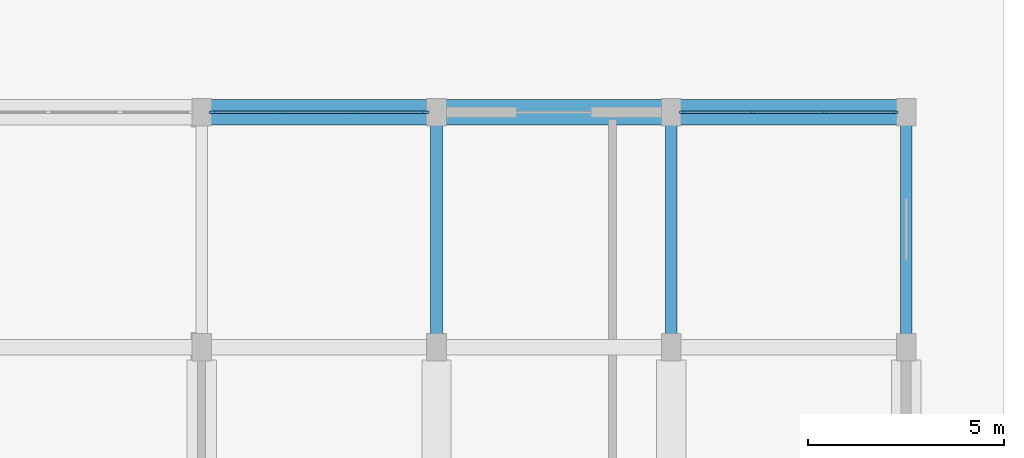
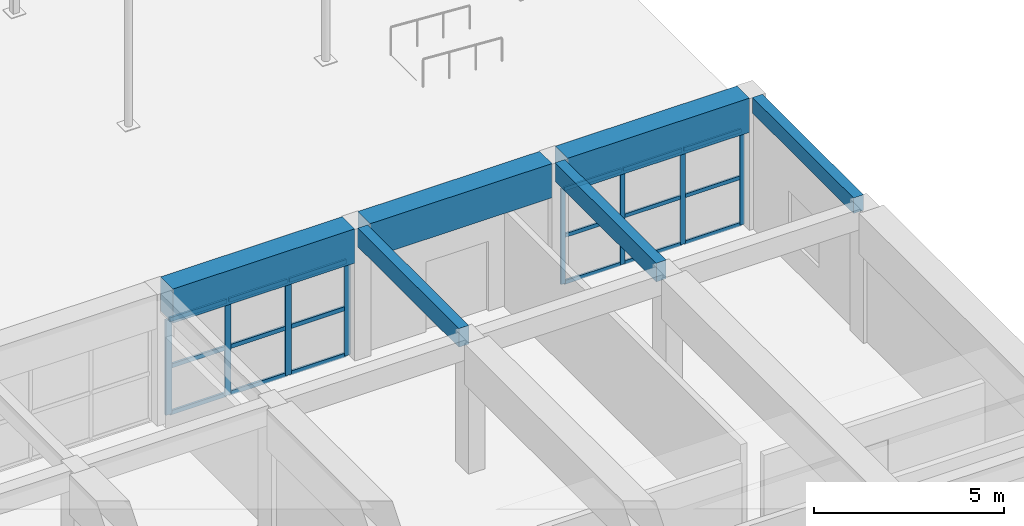
# One storey, part 35 of 76: 26 members, 6 beams, 2 elements without a shape of their own.
"""IFC4 building model written with IfcOpenShell, lengths in metres."""

import ifcopenshell
import ifcopenshell.guid

model = None  # the IFC model being written
_history = None  # IfcOwnerHistory: only IFC2X3 demands one
_inside = {}  # id of a spatial element -> (the spatial element, [elements in it])
_under = {}  # id of a project, library or spatial element -> (it, [spatial elements below it])
_declared = {}  # id of a project -> (the project, [libraries it declares])
_typed = {}  # id of a type object -> (the type object, [elements of that type])
_made_of = {}  # id of a material, layer set ... -> (it, [elements and type objects made of it])


def new_model(schema):
    """Start an empty IFC model of exactly this schema.

    Asked for "IFC4X3", IfcOpenShell would pick the latest addendum, in which some entities
    have other attributes; the version numbers below select the first issue.
    IFC2X3 requires an IfcOwnerHistory on every rooted entity: one is made here for all.
    """
    global model, _history
    if schema == "IFC4X3":
        model = ifcopenshell.file(schema_version=(4, 3, 0, 0))
    else:
        model = ifcopenshell.file(schema=schema)
    _inside.clear()
    _under.clear()
    _declared.clear()
    _typed.clear()
    _made_of.clear()
    _history = None
    if model.schema == "IFC2X3":
        org = make("IfcOrganization", Name="unknown")
        user = make(
            "IfcPersonAndOrganization",
            ThePerson=make("IfcPerson", FamilyName="unknown"),
            TheOrganization=org,
        )
        app = make(
            "IfcApplication",
            ApplicationDeveloper=org,
            Version="unknown",
            ApplicationFullName="unknown",
            ApplicationIdentifier="unknown",
        )
        _history = make(
            "IfcOwnerHistory",
            OwningUser=user,
            OwningApplication=app,
            ChangeAction="ADDED",
            CreationDate=0,
        )
    return model


def make(cls, **values):
    """One entity of the class cls with the attributes given. An attribute that is None is left unset."""
    return model.create_entity(
        cls, **{name: value for name, value in values.items() if value is not None}
    )


def rooted(cls, **values):
    """An entity with a GlobalId (a new one), such as an element, a storey or a relation."""
    return make(cls, GlobalId=ifcopenshell.guid.new(), OwnerHistory=_history, **values)


def si_unit(unit_type, name, prefix=None):
    """IfcSIUnit, for example si_unit("LENGTHUNIT", "METRE", prefix="MILLI")."""
    return make("IfcSIUnit", UnitType=unit_type, Prefix=prefix, Name=name)


def assignment(units):
    """IfcUnitAssignment: the units of a project."""
    return None if units is None else make("IfcUnitAssignment", Units=units)


def point(xyz):
    """IfcCartesianPoint."""
    return None if xyz is None else make("IfcCartesianPoint", Coordinates=xyz)


def direction(xyz):
    """IfcDirection."""
    return None if xyz is None else make("IfcDirection", DirectionRatios=xyz)


def frame(location, z_axis=None, x_axis=None):
    """IfcAxis2Placement3D, a coordinate frame: its origin and axes. An axis left out is left unset."""
    return make(
        "IfcAxis2Placement3D",
        Location=point(location),
        Axis=direction(z_axis),
        RefDirection=direction(x_axis),
    )


def frame_2d(location, x_axis=None):
    """IfcAxis2Placement2D, a coordinate frame in the plane: its origin and x axis."""
    return make(
        "IfcAxis2Placement2D", Location=point(location), RefDirection=direction(x_axis)
    )


def origin():
    """The frame at (0, 0, 0) with its axes left unset."""
    return frame((0.0, 0.0, 0.0))


def origin_2d():
    """The frame at (0, 0) in the plane with its x axis left unset."""
    return frame_2d((0.0, 0.0))


def place(relative_to, where):
    """IfcLocalPlacement: puts the frame where relative to a parent placement (None: the world)."""
    return make(
        "IfcLocalPlacement", PlacementRelTo=relative_to, RelativePlacement=where
    )


def context(
    kind, dimensions, precision=None, world=None, true_north=None, identifier=None
):
    """IfcGeometricRepresentationContext, for example the 3D "Model" context."""
    return make(
        "IfcGeometricRepresentationContext",
        ContextIdentifier=identifier,
        ContextType=kind,
        CoordinateSpaceDimension=dimensions,
        Precision=precision,
        WorldCoordinateSystem=world,
        TrueNorth=true_north,
    )


def subcontext(parent, identifier, kind, view, scale=None):
    """IfcGeometricRepresentationSubContext, for example "Body" below "Model"."""
    return make(
        "IfcGeometricRepresentationSubContext",
        ContextIdentifier=identifier,
        ContextType=kind,
        ParentContext=parent,
        TargetScale=scale,
        TargetView=view,
    )


def project(units=None, contexts=None):
    """IfcProject with its units and contexts."""
    return rooted(
        "IfcProject",
        Name="project",
        RepresentationContexts=contexts,
        UnitsInContext=assignment(units),
    )


def spatial(cls, under=None, at=None, **own):
    """A site, building, storey or space (cls), placed at a placement, below another one or the project."""
    s = rooted(cls, ObjectPlacement=at, **own)
    if under is not None:
        _under.setdefault(under.id(), (under, []))[1].append(s)
    return s


def profile(cls, at=None, kind="AREA", **sizes):
    """A parametric profile (cls). Its sizes go by their IFC names, for example OverallWidth=200.0."""
    return make(cls, ProfileType=kind, Position=at, **sizes)


def rectangle(**sizes):
    """IfcRectangleProfileDef."""
    return profile("IfcRectangleProfileDef", **sizes)


def extrude(swept, where, along, depth):
    """IfcExtrudedAreaSolid: the profile swept, set in the frame where, extruded along a direction by depth."""
    return make(
        "IfcExtrudedAreaSolid",
        SweptArea=swept,
        Position=where,
        ExtrudedDirection=direction(along),
        Depth=depth,
    )


def shape(context_of_items, identifier, shape_type, items):
    """IfcShapeRepresentation: the items that make up one representation, for example the "Body"."""
    return make(
        "IfcShapeRepresentation",
        ContextOfItems=context_of_items,
        RepresentationIdentifier=identifier,
        RepresentationType=shape_type,
        Items=items,
    )


def material(Name=None, Category=None):
    """IfcMaterial."""
    return make("IfcMaterial", Name=Name, Category=Category)


def layer(
    of_material, thickness, ventilated=None, Name=None, Category=None, Priority=None
):
    """IfcMaterialLayer: one layer of a wall or slab, of a material (None: an air gap)."""
    return make(
        "IfcMaterialLayer",
        Material=of_material,
        LayerThickness=thickness,
        IsVentilated=ventilated,
        Name=Name,
        Category=Category,
        Priority=Priority,
    )


def layer_set(layers, Name=None):
    """IfcMaterialLayerSet."""
    return make("IfcMaterialLayerSet", MaterialLayers=layers, LayerSetName=Name)


def material_profile(
    of_material, cross_section, Name=None, Category=None, Priority=None
):
    """IfcMaterialProfile: a cross section and its material."""
    return make(
        "IfcMaterialProfile",
        Name=Name,
        Material=of_material,
        Profile=cross_section,
        Priority=Priority,
        Category=Category,
    )


def profile_set(profiles, Name=None, composite=None):
    """IfcMaterialProfileSet."""
    return make(
        "IfcMaterialProfileSet",
        Name=Name,
        MaterialProfiles=profiles,
        CompositeProfile=composite,
    )


def made_of(thing, what):
    """Note that an element or type object is made of a material, layer set ...; save() writes the relation."""
    if what is not None:
        _made_of.setdefault(what.id(), (what, []))[1].append(thing)
    return thing


def type_object(cls, material=None, **own):
    """A type object (cls), such as IfcWallType, which elements share."""
    return made_of(rooted(cls, **own), material)


def element(
    cls,
    number,
    at=None,
    inside=None,
    cuts=None,
    type_object=None,
    material=None,
    context=None,
    identifier="Body",
    shape_type=None,
    held_by="IfcProductDefinitionShape",
    body=None,
    shapes=None,
    **own,
):
    """One element of the class cls, such as IfcWall. Its Tag is "e" and its number.

    at: its placement. inside: the storey or other place that contains it. cuts: it is an
    opening in that element (IfcRelVoidsElement). A single representation is given by context,
    identifier, shape_type and body (its items); several are given by shapes. held_by: the class
    of the entity that holds the representations. save() writes the other relations.
    """
    e = rooted(cls, Tag="e%d" % number, ObjectPlacement=at, **own)
    if body is not None:
        shapes = [shape(context, identifier, shape_type, body)]
    if shapes is not None:
        e.Representation = make(held_by, Representations=shapes)
    if inside is not None:
        _inside.setdefault(inside.id(), (inside, []))[1].append(e)
    if cuts is not None:
        rooted(
            "IfcRelVoidsElement", RelatingBuildingElement=cuts, RelatedOpeningElement=e
        )
    if type_object is not None:
        _typed.setdefault(type_object.id(), (type_object, []))[1].append(e)
    return made_of(e, material)


def aggregate(whole, parts):
    """IfcRelAggregates: a whole, such as a stair, and the parts it consists of."""
    return rooted("IfcRelAggregates", RelatingObject=whole, RelatedObjects=parts)


def save(model, path):
    """Write the relations noted so far, then the file.

    IfcRelAggregates (storeys below a building ...), IfcRelContainedInSpatialStructure (elements
    in a storey), IfcRelDefinesByType, IfcRelAssociatesMaterial and IfcRelDeclares: one each for
    every whole, place, type object, material and project.
    """
    for whole, parts in _under.values():
        aggregate(whole, parts)
    for where, things in _inside.values():
        rooted(
            "IfcRelContainedInSpatialStructure",
            RelatedElements=things,
            RelatingStructure=where,
        )
    for kind, things in _typed.values():
        rooted("IfcRelDefinesByType", RelatedObjects=things, RelatingType=kind)
    for what, things in _made_of.values():
        rooted("IfcRelAssociatesMaterial", RelatedObjects=things, RelatingMaterial=what)
    for by, libraries in _declared.values():
        rooted("IfcRelDeclares", RelatingContext=by, RelatedDefinitions=libraries)
    model.write(path)


model = new_model("IFC4")

# Units and contexts
model_context = context("Model", 3, precision=1e-05, world=origin(), true_north=direction((0.0, 1.0)))
body_context = subcontext(model_context, "Body", "Model", "MODEL_VIEW")
ifc_project = project(units=[si_unit("LENGTHUNIT", "METRE"), si_unit("AREAUNIT", "SQUARE_METRE"), si_unit("VOLUMEUNIT", "CUBIC_METRE"), si_unit("PLANEANGLEUNIT", "RADIAN"), si_unit("MASSUNIT", "GRAM", prefix="KILO"), si_unit("POWERUNIT", "WATT"), si_unit("THERMODYNAMICTEMPERATUREUNIT", "KELVIN")], contexts=[model_context])

# Site, building, storey
site_placement = place(None, origin())
site = spatial("IfcSite", under=ifc_project, at=site_placement, CompositionType="ELEMENT")
building_placement = place(site_placement, origin())
building = spatial("IfcBuilding", under=site, at=building_placement, Name="Ruvembo Vaulted Housing Court", CompositionType="ELEMENT")
storey_placement = place(building_placement, origin())
storey = spatial("IfcBuildingStorey", under=building, at=storey_placement, Name="L00", CompositionType="ELEMENT", Elevation=0.0)

# Beams
ifc_material_1 = material(Name="Concrete C35/45", Category="concrete")
ifc_material_profile_1 = material_profile(ifc_material_1, rectangle(XDim=0.300048828125, YDim=0.60009765625, at=origin_2d()), Name="RC 300x600")
ifc_profile_set_1 = profile_set([ifc_material_profile_1], Name="Concrete C35/45")
beam_type_1 = type_object("IfcBeamType", Name="BM-RC-300x600", PredefinedType="BEAM", material=ifc_profile_set_1)
for number, where, z_axis, x_axis, name in (
    (1, (174.0, 30.3349609375, 3.929931640625), (0.0, 1.0, 0.0), (-1.0, 0.0, 0.0), "L00 Grid Beam Y #1111"),
    (2, (180.0, 30.3349609375, 3.929931640625), (0.0, 1.0, 0.0), (-1.0, 0.0, 0.0), "L00 Grid Beam Y #1118"),
):
    element("IfcBeam", number, at=place(storey_placement, frame(where, z_axis=z_axis, x_axis=x_axis)), inside=storey, type_object=beam_type_1, Name=name, PredefinedType="BEAM", context=body_context, shape_type="SweptSolid", body=[
        extrude(rectangle(XDim=0.300048828125, YDim=0.60009765625, at=origin_2d()), origin(), (0.0, 0.0, 1.0), 5.330078125),
    ])

# Curtain wall, members
ifc_material_2 = material(Name="Anodised Aluminium and Solar-Control Glass", Category="aluminium")
ifc_layer = layer(ifc_material_2, 0.159912109375, Name="Anodised Aluminium and Solar-Control Glass")
ifc_layer_set = layer_set([ifc_layer], Name="Anodised Aluminium and Solar-Control Glass")
curtain_wall_type = type_object("IfcCurtainWallType", Name="CW-SHOPFRONT-S", PredefinedType="NOTDEFINED", material=ifc_layer_set)
curtain_wall_1_placement = place(storey_placement, origin())
curtain_wall_1 = element("IfcCurtainWall", 3, at=curtain_wall_1_placement, inside=storey, type_object=curtain_wall_type, Name="L00 Curtain Wall CW-L00-0156", PredefinedType="NOTDEFINED")
ifc_material_3 = material(Name="Anodised Aluminium 6063-T6", Category="aluminium")
ifc_material_profile_2 = material_profile(ifc_material_3, rectangle(XDim=0.06005859375, YDim=0.139892578125, at=origin_2d()), Name="ALU 60x140")
ifc_profile_set_2 = profile_set([ifc_material_profile_2], Name="Anodised Aluminium 6063-T6")
member_type_1 = type_object("IfcMemberType", Name="CW-MUL-60x140", PredefinedType="MULLION", material=ifc_profile_set_2)
member_1_placement = place(storey_placement, frame((180.280029296875, 36.0, 0.0), z_axis=(0.0, 0.0, 1.0), x_axis=(0.0, 1.0, 0.0)))
member_1 = element("IfcMember", 4, at=member_1_placement, type_object=member_type_1, Name="CW3 mullion 1", PredefinedType="MULLION", context=body_context, shape_type="SweptSolid", body=[
    extrude(rectangle(XDim=0.06005859375, YDim=0.139892578125, at=origin_2d()), origin(), (0.0, 0.0, 1.0), 3.06201171875),
])
member_2_placement = place(storey_placement, frame((182.083251953125, 36.0, 0.0), z_axis=(0.0, 0.0, 1.0), x_axis=(0.0, 1.0, 0.0)))
member_2 = element("IfcMember", 5, at=member_2_placement, type_object=member_type_1, Name="CW3 mullion 2", PredefinedType="MULLION", context=body_context, shape_type="SweptSolid", body=[
    extrude(rectangle(XDim=0.06005859375, YDim=0.139892578125, at=origin_2d()), origin(), (0.0, 0.0, 1.0), 3.06201171875),
])
member_3_placement = place(storey_placement, frame((183.916748046875, 36.0, 0.0), z_axis=(0.0, 0.0, 1.0), x_axis=(0.0, 1.0, 0.0)))
member_3 = element("IfcMember", 6, at=member_3_placement, type_object=member_type_1, Name="CW3 mullion 3", PredefinedType="MULLION", context=body_context, shape_type="SweptSolid", body=[
    extrude(rectangle(XDim=0.06005859375, YDim=0.139892578125, at=origin_2d()), origin(), (0.0, 0.0, 1.0), 3.06201171875),
])
member_4_placement = place(storey_placement, frame((185.719970703125, 36.0, 0.0), z_axis=(0.0, 0.0, 1.0), x_axis=(0.0, 1.0, 0.0)))
member_4 = element("IfcMember", 7, at=member_4_placement, type_object=member_type_1, Name="CW3 mullion 4", PredefinedType="MULLION", context=body_context, shape_type="SweptSolid", body=[
    extrude(rectangle(XDim=0.06005859375, YDim=0.139892578125, at=origin_2d()), origin(), (0.0, 0.0, 1.0), 3.06201171875),
])

curtain_wall_2_placement = place(storey_placement, origin())
curtain_wall_2 = element("IfcCurtainWall", 8, at=curtain_wall_2_placement, inside=storey, type_object=curtain_wall_type, Name="L00 Curtain Wall CW-L00-0154", PredefinedType="NOTDEFINED")
ifc_material_profile_3 = material_profile(ifc_material_3, rectangle(XDim=0.06494140625, YDim=0.179931640625, at=origin_2d()), Name="ALU 65x180")
ifc_profile_set_3 = profile_set([ifc_material_profile_3], Name="Anodised Aluminium 6063-T6")
member_type_2 = type_object("IfcMemberType", Name="CW-MUL-65x180", PredefinedType="MULLION", material=ifc_profile_set_3)
member_5_placement = place(storey_placement, frame((168.282470703125, 36.0, 0.0), z_axis=(0.0, 0.0, 1.0), x_axis=(0.0, 1.0, 0.0)))
member_5 = element("IfcMember", 9, at=member_5_placement, type_object=member_type_2, Name="CW3 mullion 1", PredefinedType="MULLION", context=body_context, shape_type="SweptSolid", body=[
    extrude(rectangle(XDim=0.06494140625, YDim=0.179931640625, at=origin_2d()), origin(), (0.0, 0.0, 1.0), 3.06201171875),
])
member_6_placement = place(storey_placement, frame((170.083251953125, 36.0, 0.0), z_axis=(0.0, 0.0, 1.0), x_axis=(0.0, 1.0, 0.0)))
member_6 = element("IfcMember", 10, at=member_6_placement, type_object=member_type_2, Name="CW3 mullion 2", PredefinedType="MULLION", context=body_context, shape_type="SweptSolid", body=[
    extrude(rectangle(XDim=0.06494140625, YDim=0.179931640625, at=origin_2d()), origin(), (0.0, 0.0, 1.0), 3.06201171875),
])
member_7_placement = place(storey_placement, frame((171.916748046875, 36.0, 0.0), z_axis=(0.0, 0.0, 1.0), x_axis=(0.0, 1.0, 0.0)))
member_7 = element("IfcMember", 11, at=member_7_placement, type_object=member_type_2, Name="CW3 mullion 3", PredefinedType="MULLION", context=body_context, shape_type="SweptSolid", body=[
    extrude(rectangle(XDim=0.06494140625, YDim=0.179931640625, at=origin_2d()), origin(), (0.0, 0.0, 1.0), 3.06201171875),
])
member_8_placement = place(storey_placement, frame((173.717529296875, 36.0, 0.0), z_axis=(0.0, 0.0, 1.0), x_axis=(0.0, 1.0, 0.0)))
member_8 = element("IfcMember", 12, at=member_8_placement, type_object=member_type_2, Name="CW3 mullion 4", PredefinedType="MULLION", context=body_context, shape_type="SweptSolid", body=[
    extrude(rectangle(XDim=0.06494140625, YDim=0.179931640625, at=origin_2d()), origin(), (0.0, 0.0, 1.0), 3.06201171875),
])

# Member
ifc_material_profile_4 = material_profile(ifc_material_3, rectangle(XDim=0.06005859375, YDim=0.1201171875, at=origin_2d()), Name="ALU 60x120")
ifc_profile_set_4 = profile_set([ifc_material_profile_4], Name="Anodised Aluminium 6063-T6")
member_type_3 = type_object("IfcMemberType", Name="CW-TRANSOM-65x120", PredefinedType="USERDEFINED", material=ifc_profile_set_4)
member_9_placement = place(storey_placement, frame((180.31005859375, 36.0, 0.030029296875), z_axis=(1.0, 0.0, 0.0), x_axis=(0.0, 1.0, 0.0)))
member_9 = element("IfcMember", 13, at=member_9_placement, type_object=member_type_3, Name="CW3 transom 1.1", ObjectType="TRANSOM", PredefinedType="USERDEFINED", context=body_context, shape_type="SweptSolid", body=[
    extrude(rectangle(XDim=0.06005859375, YDim=0.1201171875, at=origin_2d()), origin(), (0.0, 0.0, 1.0), 1.7431640625),
])

member_10_placement = place(storey_placement, frame((180.31005859375, 36.0, 1.531005859375), z_axis=(1.0, 0.0, 0.0), x_axis=(0.0, 1.0, 0.0)))
member_10 = element("IfcMember", 14, at=member_10_placement, type_object=member_type_3, Name="CW3 transom 1.2", ObjectType="TRANSOM", PredefinedType="USERDEFINED", context=body_context, shape_type="SweptSolid", body=[
    extrude(rectangle(XDim=0.06005859375, YDim=0.1201171875, at=origin_2d()), origin(), (0.0, 0.0, 1.0), 1.7431640625),
])

member_11_placement = place(storey_placement, frame((180.31005859375, 36.0, 3.031982421875), z_axis=(1.0, 0.0, 0.0), x_axis=(0.0, 1.0, 0.0)))
member_11 = element("IfcMember", 15, at=member_11_placement, type_object=member_type_3, Name="CW3 transom 1.3", ObjectType="TRANSOM", PredefinedType="USERDEFINED", context=body_context, shape_type="SweptSolid", body=[
    extrude(rectangle(XDim=0.06005859375, YDim=0.1201171875, at=origin_2d()), origin(), (0.0, 0.0, 1.0), 1.7431640625),
])

member_12_placement = place(storey_placement, frame((182.11328125, 36.0, 0.030029296875), z_axis=(1.0, 0.0, 0.0), x_axis=(0.0, 1.0, 0.0)))
member_12 = element("IfcMember", 16, at=member_12_placement, type_object=member_type_3, Name="CW3 transom 2.1", ObjectType="TRANSOM", PredefinedType="USERDEFINED", context=body_context, shape_type="SweptSolid", body=[
    extrude(rectangle(XDim=0.06005859375, YDim=0.1201171875, at=origin_2d()), origin(), (0.0, 0.0, 1.0), 1.7734375),
])

member_13_placement = place(storey_placement, frame((182.11328125, 36.0, 1.531005859375), z_axis=(1.0, 0.0, 0.0), x_axis=(0.0, 1.0, 0.0)))
member_13 = element("IfcMember", 17, at=member_13_placement, type_object=member_type_3, Name="CW3 transom 2.2", ObjectType="TRANSOM", PredefinedType="USERDEFINED", context=body_context, shape_type="SweptSolid", body=[
    extrude(rectangle(XDim=0.06005859375, YDim=0.1201171875, at=origin_2d()), origin(), (0.0, 0.0, 1.0), 1.7734375),
])

member_14_placement = place(storey_placement, frame((182.11328125, 36.0, 3.031982421875), z_axis=(1.0, 0.0, 0.0), x_axis=(0.0, 1.0, 0.0)))
member_14 = element("IfcMember", 18, at=member_14_placement, type_object=member_type_3, Name="CW3 transom 2.3", ObjectType="TRANSOM", PredefinedType="USERDEFINED", context=body_context, shape_type="SweptSolid", body=[
    extrude(rectangle(XDim=0.06005859375, YDim=0.1201171875, at=origin_2d()), origin(), (0.0, 0.0, 1.0), 1.7734375),
])

member_15_placement = place(storey_placement, frame((183.94677734375, 36.0, 0.030029296875), z_axis=(1.0, 0.0, 0.0), x_axis=(0.0, 1.0, 0.0)))
member_15 = element("IfcMember", 19, at=member_15_placement, type_object=member_type_3, Name="CW3 transom 3.1", ObjectType="TRANSOM", PredefinedType="USERDEFINED", context=body_context, shape_type="SweptSolid", body=[
    extrude(rectangle(XDim=0.06005859375, YDim=0.1201171875, at=origin_2d()), origin(), (0.0, 0.0, 1.0), 1.7431640625),
])

member_16_placement = place(storey_placement, frame((183.94677734375, 36.0, 1.531005859375), z_axis=(1.0, 0.0, 0.0), x_axis=(0.0, 1.0, 0.0)))
member_16 = element("IfcMember", 20, at=member_16_placement, type_object=member_type_3, Name="CW3 transom 3.2", ObjectType="TRANSOM", PredefinedType="USERDEFINED", context=body_context, shape_type="SweptSolid", body=[
    extrude(rectangle(XDim=0.06005859375, YDim=0.1201171875, at=origin_2d()), origin(), (0.0, 0.0, 1.0), 1.7431640625),
])

member_17_placement = place(storey_placement, frame((183.94677734375, 36.0, 3.031982421875), z_axis=(1.0, 0.0, 0.0), x_axis=(0.0, 1.0, 0.0)))
member_17 = element("IfcMember", 21, at=member_17_placement, type_object=member_type_3, Name="CW3 transom 3.3", ObjectType="TRANSOM", PredefinedType="USERDEFINED", context=body_context, shape_type="SweptSolid", body=[
    extrude(rectangle(XDim=0.06005859375, YDim=0.1201171875, at=origin_2d()), origin(), (0.0, 0.0, 1.0), 1.7431640625),
])

aggregate(curtain_wall_1, [member_1, member_2, member_3, member_4, member_9, member_10, member_11, member_12, member_13, member_14, member_15, member_16, member_17])

ifc_material_profile_5 = material_profile(ifc_material_3, rectangle(XDim=0.06494140625, YDim=0.135009765625, at=origin_2d()), Name="ALU 65x135")
ifc_profile_set_5 = profile_set([ifc_material_profile_5], Name="Anodised Aluminium 6063-T6")
member_type_4 = type_object("IfcMemberType", Name="CW-TRN-65x135", PredefinedType="USERDEFINED", material=ifc_profile_set_5)
member_18_placement = place(storey_placement, frame((168.31494140625, 36.0, 0.032470703125), z_axis=(1.0, 0.0, 0.0), x_axis=(0.0, 1.0, 0.0)))
member_18 = element("IfcMember", 22, at=member_18_placement, type_object=member_type_4, Name="CW3 transom 1.1", ObjectType="TRANSOM", PredefinedType="USERDEFINED", context=body_context, shape_type="SweptSolid", body=[
    extrude(rectangle(XDim=0.06494140625, YDim=0.135009765625, at=origin_2d()), origin(), (0.0, 0.0, 1.0), 1.73583984375),
])

member_19_placement = place(storey_placement, frame((168.31494140625, 36.0, 1.531005859375), z_axis=(1.0, 0.0, 0.0), x_axis=(0.0, 1.0, 0.0)))
member_19 = element("IfcMember", 23, at=member_19_placement, type_object=member_type_4, Name="CW3 transom 1.2", ObjectType="TRANSOM", PredefinedType="USERDEFINED", context=body_context, shape_type="SweptSolid", body=[
    extrude(rectangle(XDim=0.06494140625, YDim=0.135009765625, at=origin_2d()), origin(), (0.0, 0.0, 1.0), 1.73583984375),
])

member_20_placement = place(storey_placement, frame((168.31494140625, 36.0, 3.029541015625), z_axis=(1.0, 0.0, 0.0), x_axis=(0.0, 1.0, 0.0)))
member_20 = element("IfcMember", 24, at=member_20_placement, type_object=member_type_4, Name="CW3 transom 1.3", ObjectType="TRANSOM", PredefinedType="USERDEFINED", context=body_context, shape_type="SweptSolid", body=[
    extrude(rectangle(XDim=0.06494140625, YDim=0.135009765625, at=origin_2d()), origin(), (0.0, 0.0, 1.0), 1.73583984375),
])

member_21_placement = place(storey_placement, frame((170.11572265625, 36.0, 0.032470703125), z_axis=(1.0, 0.0, 0.0), x_axis=(0.0, 1.0, 0.0)))
member_21 = element("IfcMember", 25, at=member_21_placement, type_object=member_type_4, Name="CW3 transom 2.1", ObjectType="TRANSOM", PredefinedType="USERDEFINED", context=body_context, shape_type="SweptSolid", body=[
    extrude(rectangle(XDim=0.06494140625, YDim=0.135009765625, at=origin_2d()), origin(), (0.0, 0.0, 1.0), 1.7685546875),
])

member_22_placement = place(storey_placement, frame((170.11572265625, 36.0, 1.531005859375), z_axis=(1.0, 0.0, 0.0), x_axis=(0.0, 1.0, 0.0)))
member_22 = element("IfcMember", 26, at=member_22_placement, type_object=member_type_4, Name="CW3 transom 2.2", ObjectType="TRANSOM", PredefinedType="USERDEFINED", context=body_context, shape_type="SweptSolid", body=[
    extrude(rectangle(XDim=0.06494140625, YDim=0.135009765625, at=origin_2d()), origin(), (0.0, 0.0, 1.0), 1.7685546875),
])

member_23_placement = place(storey_placement, frame((170.11572265625, 36.0, 3.029541015625), z_axis=(1.0, 0.0, 0.0), x_axis=(0.0, 1.0, 0.0)))
member_23 = element("IfcMember", 27, at=member_23_placement, type_object=member_type_4, Name="CW3 transom 2.3", ObjectType="TRANSOM", PredefinedType="USERDEFINED", context=body_context, shape_type="SweptSolid", body=[
    extrude(rectangle(XDim=0.06494140625, YDim=0.135009765625, at=origin_2d()), origin(), (0.0, 0.0, 1.0), 1.7685546875),
])

member_24_placement = place(storey_placement, frame((171.94921875, 36.0, 0.032470703125), z_axis=(1.0, 0.0, 0.0), x_axis=(0.0, 1.0, 0.0)))
member_24 = element("IfcMember", 28, at=member_24_placement, type_object=member_type_4, Name="CW3 transom 3.1", ObjectType="TRANSOM", PredefinedType="USERDEFINED", context=body_context, shape_type="SweptSolid", body=[
    extrude(rectangle(XDim=0.06494140625, YDim=0.135009765625, at=origin_2d()), origin(), (0.0, 0.0, 1.0), 1.73583984375),
])

member_25_placement = place(storey_placement, frame((171.94921875, 36.0, 1.531005859375), z_axis=(1.0, 0.0, 0.0), x_axis=(0.0, 1.0, 0.0)))
member_25 = element("IfcMember", 29, at=member_25_placement, type_object=member_type_4, Name="CW3 transom 3.2", ObjectType="TRANSOM", PredefinedType="USERDEFINED", context=body_context, shape_type="SweptSolid", body=[
    extrude(rectangle(XDim=0.06494140625, YDim=0.135009765625, at=origin_2d()), origin(), (0.0, 0.0, 1.0), 1.73583984375),
])

member_26_placement = place(storey_placement, frame((171.94921875, 36.0, 3.029541015625), z_axis=(1.0, 0.0, 0.0), x_axis=(0.0, 1.0, 0.0)))
member_26 = element("IfcMember", 30, at=member_26_placement, type_object=member_type_4, Name="CW3 transom 3.3", ObjectType="TRANSOM", PredefinedType="USERDEFINED", context=body_context, shape_type="SweptSolid", body=[
    extrude(rectangle(XDim=0.06494140625, YDim=0.135009765625, at=origin_2d()), origin(), (0.0, 0.0, 1.0), 1.73583984375),
])

aggregate(curtain_wall_2, [member_5, member_6, member_7, member_8, member_18, member_19, member_20, member_21, member_22, member_23, member_24, member_25, member_26])

# Beams
ifc_material_profile_6 = material_profile(ifc_material_1, rectangle(XDim=0.300048828125, YDim=0.5, at=origin_2d()), Name="RC 300x500")
ifc_profile_set_6 = profile_set([ifc_material_profile_6], Name="Concrete C35/45")
beam_type_2 = type_object("IfcBeamType", Name="SP-RC-300x500", PredefinedType="SPANDREL", material=ifc_profile_set_6)
beam_placement = place(storey_placement, frame((186.0, 30.3349609375, 3.97998046875), z_axis=(0.0, 1.0, 0.0), x_axis=(-1.0, 0.0, 0.0)))
element("IfcBeam", 31, at=beam_placement, inside=storey, type_object=beam_type_2, Name="L00 Grid Beam Y #1125", PredefinedType="SPANDREL", context=body_context, shape_type="SweptSolid", body=[
    extrude(rectangle(XDim=0.300048828125, YDim=0.5, at=origin_2d()), origin(), (0.0, 0.0, 1.0), 5.330078125),
])
ifc_material_4 = material(Name="Concrete C40/50", Category="concrete")
ifc_material_profile_7 = material_profile(ifc_material_4, rectangle(XDim=0.64990234375, YDim=1.10009765625, at=origin_2d()), Name="RC 650x1100")
ifc_profile_set_7 = profile_set([ifc_material_profile_7], Name="Concrete C40/50")
beam_type_3 = type_object("IfcBeamType", Name="TB-RC-650x1100", PredefinedType="BEAM", material=ifc_profile_set_7)
for number, where, z_axis, x_axis, name in (
    (32, (168.235107421875, 36.0, 3.679931640625), (1.0, 0.0, 0.0), (0.0, 1.0, 0.0), "L00 Grid Beam X #827"),
    (33, (174.235107421875, 36.0, 3.679931640625), (1.0, 0.0, 0.0), (0.0, 1.0, 0.0), "L00 Grid Beam X #828"),
    (34, (180.235107421875, 36.0, 3.679931640625), (1.0, 0.0, 0.0), (0.0, 1.0, 0.0), "L00 Grid Beam X #829"),
):
    element("IfcBeam", number, at=place(storey_placement, frame(where, z_axis=z_axis, x_axis=x_axis)), inside=storey, type_object=beam_type_3, Name=name, PredefinedType="BEAM", context=body_context, shape_type="SweptSolid", body=[
        extrude(rectangle(XDim=0.64990234375, YDim=1.10009765625, at=origin_2d()), origin(), (0.0, 0.0, 1.0), 5.52978515625),
    ])

save(model, "model.ifc")
